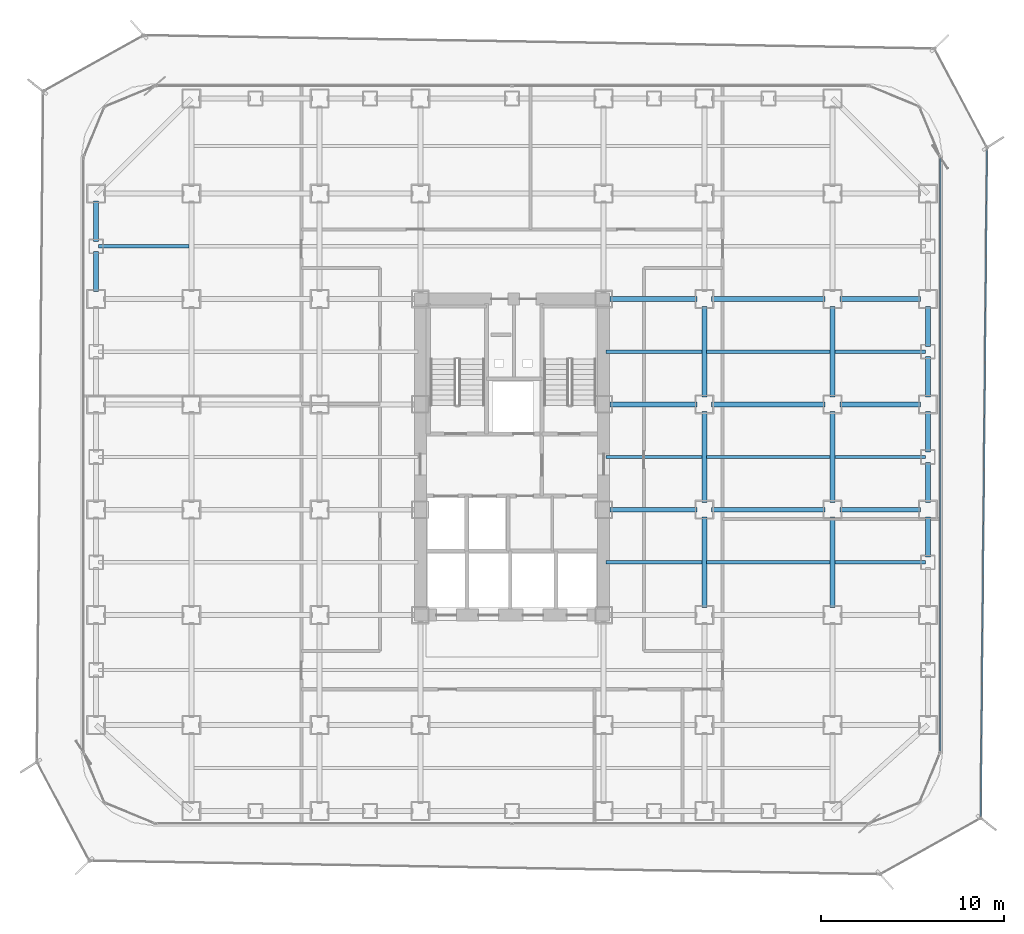
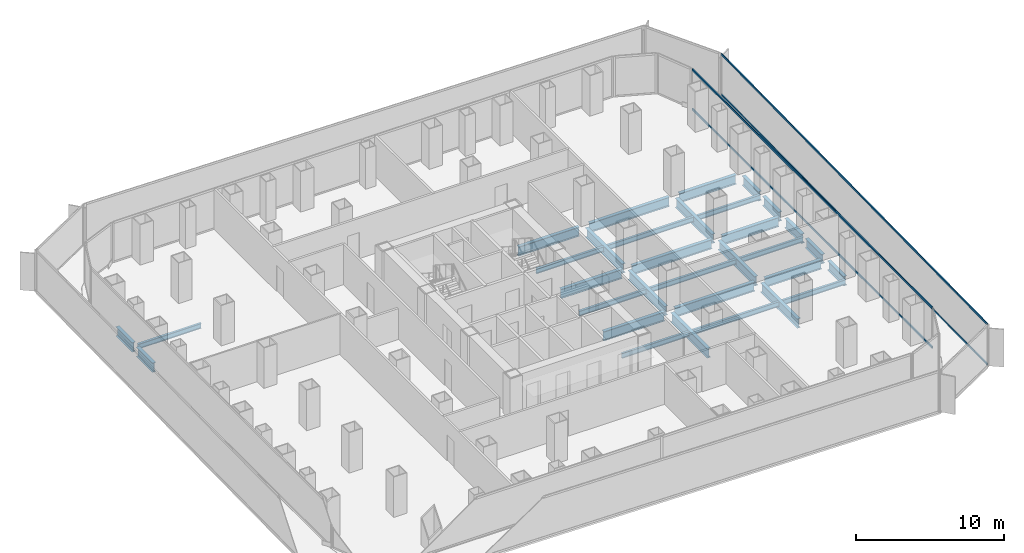
# One storey, part 9 of 21: 32 beams, 4 members, 2 elements without a shape of their own.
"""IFC4 building model written with IfcOpenShell, lengths in metres."""

from ifc_helpers import new_model, si_unit, direction, frame, origin, origin_2d, place, context, subcontext, project, spatial, hollow_rectangle, i_section, extrude, source, transform, mapped, material, layer, layer_set, material_profile, profile_set, type_object, element, aggregate, save


model = new_model("IFC4")

# Units and contexts
model_context = context("Model", 3, precision=1e-05, world=origin(), true_north=direction((0.0, 1.0)))
body_context = subcontext(model_context, "Body", "Model", "MODEL_VIEW")
ifc_project = project(units=[si_unit("LENGTHUNIT", "METRE"), si_unit("AREAUNIT", "SQUARE_METRE"), si_unit("VOLUMEUNIT", "CUBIC_METRE"), si_unit("PLANEANGLEUNIT", "RADIAN"), si_unit("MASSUNIT", "GRAM", prefix="KILO")], contexts=[model_context])

# Site, building, storey
site_placement = place(None, origin())
site = spatial("IfcSite", under=ifc_project, at=site_placement, CompositionType="ELEMENT")
building_placement = place(site_placement, origin())
building = spatial("IfcBuilding", under=site, at=building_placement, Name="Kolveth Station Tower", CompositionType="ELEMENT")
storey_placement = place(building_placement, frame((0.0, 0.0, 58.5)))
storey = spatial("IfcBuildingStorey", under=building, at=storey_placement, Name="L15", CompositionType="ELEMENT", Elevation=58.5)

# Beams
ifc_material_1 = material(Name="Steel S355", Category="steel")
ifc_material_profile_1 = material_profile(ifc_material_1, i_section(OverallWidth=0.26904296875, OverallDepth=0.77490234375, WebThickness=0.01708984375, FlangeThickness=0.0283203125, at=origin_2d()), Name="W760x220")
ifc_profile_set_1 = profile_set([ifc_material_profile_1], Name="Steel S355")
beam_type_1 = type_object("IfcBeamType", Name="Beam_SP1", PredefinedType="SPANDREL", material=ifc_profile_set_1)
shared_shape_1 = source(origin(), body_context, "Body", "SweptSolid", [
    extrude(i_section(OverallWidth=0.26904296875, OverallDepth=0.77490234375, WebThickness=0.01708984375, FlangeThickness=0.0283203125, at=origin_2d()), origin(), (0.0, 0.0, 1.0), 2.2001953125),
])
for number, where, z_axis, x_axis, name in (
    (1, (0.800048828125, 31.89990234375, -0.66748046875), (0.0, 1.0, 0.0), (-1.0, 0.0, 0.0), "L15 Perimeter Spandrel BM-L15-PW-10"),
    (2, (46.199951171875, 20.39990234375, -0.66748046875), (0.0, 1.0, 0.0), (-1.0, 0.0, 0.0), "L15 Perimeter Spandrel BM-L15-PE-6"),
    (3, (46.199951171875, 23.39990234375, -0.66748046875), (0.0, 1.0, 0.0), (-1.0, 0.0, 0.0), "L15 Perimeter Spandrel BM-L15-PE-7"),
):
    element("IfcBeam", number, at=place(storey_placement, frame(where, z_axis=z_axis, x_axis=x_axis)), inside=storey, type_object=beam_type_1, Name=name, PredefinedType="SPANDREL", context=body_context, shape_type="MappedRepresentation", body=[
        mapped(shared_shape_1, transform((0.0, 0.0, 0.0), x_axis=(1.0, 0.0, 0.0), y_axis=(0.0, 1.0, 0.0), z_axis=(0.0, 0.0, 1.0), scale=1.0)),
    ])
shared_shape_2 = source(origin(), body_context, "Body", "SweptSolid", [
    extrude(i_section(OverallWidth=0.26904296875, OverallDepth=0.77490234375, WebThickness=0.01708984375, FlangeThickness=0.0283203125, at=origin_2d()), origin(), (0.0, 0.0, 1.0), 2.190185546875),
])
for number, where, z_axis, x_axis, name in (
    (4, (0.800048828125, 29.14990234375, -0.66748046875), (0.0, 1.0, 0.0), (-1.0, 0.0, 0.0), "L15 Perimeter Spandrel BM-L15-PW-9"),
    (5, (46.199951171875, 14.659912109375, -0.66748046875), (0.0, 1.0, 0.0), (-1.0, 0.0, 0.0), "L15 Perimeter Spandrel BM-L15-PE-4"),
    (6, (46.199951171875, 17.64990234375, -0.66748046875), (0.0, 1.0, 0.0), (-1.0, 0.0, 0.0), "L15 Perimeter Spandrel BM-L15-PE-5"),
    (7, (46.199951171875, 26.159912109375, -0.66748046875), (0.0, 1.0, 0.0), (-1.0, 0.0, 0.0), "L15 Perimeter Spandrel BM-L15-PE-8"),
):
    element("IfcBeam", number, at=place(storey_placement, frame(where, z_axis=z_axis, x_axis=x_axis)), inside=storey, type_object=beam_type_1, Name=name, PredefinedType="SPANDREL", context=body_context, shape_type="MappedRepresentation", body=[
        mapped(shared_shape_2, transform((0.0, 0.0, 0.0), x_axis=(1.0, 0.0, 0.0), y_axis=(0.0, 1.0, 0.0), z_axis=(0.0, 0.0, 1.0), scale=1.0)),
    ])
ifc_material_profile_2 = material_profile(ifc_material_1, i_section(OverallWidth=0.26708984375, OverallDepth=0.76611328125, WebThickness=0.014892578125, FlangeThickness=0.023681640625, at=origin_2d()), Name="W760x185")
ifc_profile_set_2 = profile_set([ifc_material_profile_2], Name="Steel S355")
beam_type_2 = type_object("IfcBeamType", Name="Beam_B3", PredefinedType="BEAM", material=ifc_profile_set_2)
shared_shape_3 = source(origin(), body_context, "Body", "SweptSolid", [
    extrude(i_section(OverallWidth=0.26708984375, OverallDepth=0.76611328125, WebThickness=0.014892578125, FlangeThickness=0.023681640625, at=origin_2d()), origin(), (0.0, 0.0, 1.0), 4.400146484375),
])
for number, where, z_axis, x_axis, name in (
    (8, (41.39990234375, 17.25, -0.6630859375), (1.0, 0.0, 0.0), (0.0, 1.0, 0.0), "L15 Primary Girder BM-L15-GY172-7"),
    (9, (41.39990234375, 23.0, -0.6630859375), (1.0, 0.0, 0.0), (0.0, 1.0, 0.0), "L15 Primary Girder BM-L15-GY230-7"),
    (10, (41.39990234375, 28.75, -0.6630859375), (1.0, 0.0, 0.0), (0.0, 1.0, 0.0), "L15 Primary Girder BM-L15-GY287-7"),
):
    element("IfcBeam", number, at=place(storey_placement, frame(where, z_axis=z_axis, x_axis=x_axis)), inside=storey, type_object=beam_type_2, Name=name, PredefinedType="BEAM", context=body_context, shape_type="MappedRepresentation", body=[
        mapped(shared_shape_3, transform((0.0, 0.0, 0.0), x_axis=(1.0, 0.0, 0.0), y_axis=(0.0, 1.0, 0.0), z_axis=(0.0, 0.0, 1.0), scale=1.0)),
    ])
shared_shape_4 = source(origin(), body_context, "Body", "SweptSolid", [
    extrude(i_section(OverallWidth=0.26708984375, OverallDepth=0.76611328125, WebThickness=0.014892578125, FlangeThickness=0.023681640625, at=origin_2d()), origin(), (0.0, 0.0, 1.0), 6.2001953125),
])
for number, where, z_axis, x_axis, name in (
    (11, (34.39990234375, 17.25, -0.6630859375), (1.0, 0.0, 0.0), (0.0, 1.0, 0.0), "L15 Primary Girder BM-L15-GY172-6"),
    (12, (34.39990234375, 23.0, -0.6630859375), (1.0, 0.0, 0.0), (0.0, 1.0, 0.0), "L15 Primary Girder BM-L15-GY230-6"),
    (13, (34.39990234375, 28.75, -0.6630859375), (1.0, 0.0, 0.0), (0.0, 1.0, 0.0), "L15 Primary Girder BM-L15-GY287-6"),
):
    element("IfcBeam", number, at=place(storey_placement, frame(where, z_axis=z_axis, x_axis=x_axis)), inside=storey, type_object=beam_type_2, Name=name, PredefinedType="BEAM", context=body_context, shape_type="MappedRepresentation", body=[
        mapped(shared_shape_4, transform((0.0, 0.0, 0.0), x_axis=(1.0, 0.0, 0.0), y_axis=(0.0, 1.0, 0.0), z_axis=(0.0, 0.0, 1.0), scale=1.0)),
    ])
shared_shape_5 = source(origin(), body_context, "Body", "SweptSolid", [
    extrude(i_section(OverallWidth=0.26708984375, OverallDepth=0.76611328125, WebThickness=0.014892578125, FlangeThickness=0.023681640625, at=origin_2d()), origin(), (0.0, 0.0, 1.0), 4.739990234375),
])
for number, where, z_axis, x_axis, name in (
    (14, (28.860107421875, 17.25, -0.6630859375), (1.0, 0.0, 0.0), (0.0, 1.0, 0.0), "L15 Primary Girder BM-L15-GY172-5"),
    (15, (28.860107421875, 23.0, -0.6630859375), (1.0, 0.0, 0.0), (0.0, 1.0, 0.0), "L15 Primary Girder BM-L15-GY230-5"),
    (16, (28.860107421875, 28.75, -0.6630859375), (1.0, 0.0, 0.0), (0.0, 1.0, 0.0), "L15 Primary Girder BM-L15-GY287-5"),
):
    element("IfcBeam", number, at=place(storey_placement, frame(where, z_axis=z_axis, x_axis=x_axis)), inside=storey, type_object=beam_type_2, Name=name, PredefinedType="BEAM", context=body_context, shape_type="MappedRepresentation", body=[
        mapped(shared_shape_5, transform((0.0, 0.0, 0.0), x_axis=(1.0, 0.0, 0.0), y_axis=(0.0, 1.0, 0.0), z_axis=(0.0, 0.0, 1.0), scale=1.0)),
    ])
shared_shape_6 = source(origin(), body_context, "Body", "SweptSolid", [
    extrude(i_section(OverallWidth=0.26708984375, OverallDepth=0.76611328125, WebThickness=0.014892578125, FlangeThickness=0.023681640625, at=origin_2d()), origin(), (0.0, 0.0, 1.0), 4.9501953125),
])
for number, where, z_axis, x_axis, name in (
    (17, (34.0, 11.89990234375, -0.6630859375), (0.0, 1.0, 0.0), (-1.0, 0.0, 0.0), "L15 Primary Girder BM-L15-GX340-3"),
    (18, (34.0, 17.64990234375, -0.6630859375), (0.0, 1.0, 0.0), (-1.0, 0.0, 0.0), "L15 Primary Girder BM-L15-GX340-4"),
    (19, (34.0, 23.39990234375, -0.6630859375), (0.0, 1.0, 0.0), (-1.0, 0.0, 0.0), "L15 Primary Girder BM-L15-GX340-5"),
    (20, (41.0, 11.89990234375, -0.6630859375), (0.0, 1.0, 0.0), (-1.0, 0.0, 0.0), "L15 Primary Girder BM-L15-GX410-3"),
    (21, (41.0, 17.64990234375, -0.6630859375), (0.0, 1.0, 0.0), (-1.0, 0.0, 0.0), "L15 Primary Girder BM-L15-GX410-4"),
    (22, (41.0, 23.39990234375, -0.6630859375), (0.0, 1.0, 0.0), (-1.0, 0.0, 0.0), "L15 Primary Girder BM-L15-GX410-5"),
):
    element("IfcBeam", number, at=place(storey_placement, frame(where, z_axis=z_axis, x_axis=x_axis)), inside=storey, type_object=beam_type_2, Name=name, PredefinedType="BEAM", context=body_context, shape_type="MappedRepresentation", body=[
        mapped(shared_shape_6, transform((0.0, 0.0, 0.0), x_axis=(1.0, 0.0, 0.0), y_axis=(0.0, 1.0, 0.0), z_axis=(0.0, 0.0, 1.0), scale=1.0)),
    ])
ifc_material_profile_3 = material_profile(ifc_material_1, i_section(OverallWidth=0.177978515625, OverallDepth=0.406982421875, WebThickness=0.0078125, FlangeThickness=0.0126953125, at=origin_2d()), Name="W410x60")
ifc_profile_set_3 = profile_set([ifc_material_profile_3], Name="Steel S355")
beam_type_3 = type_object("IfcBeamType", Name="Beam_J1", PredefinedType="JOIST", material=ifc_profile_set_3)
shared_shape_7 = source(origin(), body_context, "Body", "SweptSolid", [
    extrude(i_section(OverallWidth=0.177978515625, OverallDepth=0.406982421875, WebThickness=0.0078125, FlangeThickness=0.0126953125, at=origin_2d()), origin(), (0.0, 0.0, 1.0), 4.935791015625),
])
for number, where, z_axis, x_axis, name in (
    (23, (0.9326171875, 31.625, -0.4833984375), (1.0, 0.0, 0.0), (0.0, 1.0, 0.0), "L15 Secondary Joist JST-L15-1-6"),
    (24, (41.131591796875, 14.375, -0.4833984375), (1.0, 0.0, 0.0), (0.0, 1.0, 0.0), "L15 Secondary Joist JST-L15-7-3"),
    (25, (41.131591796875, 20.125, -0.4833984375), (1.0, 0.0, 0.0), (0.0, 1.0, 0.0), "L15 Secondary Joist JST-L15-7-4"),
    (26, (41.131591796875, 25.875, -0.4833984375), (1.0, 0.0, 0.0), (0.0, 1.0, 0.0), "L15 Secondary Joist JST-L15-7-5"),
):
    element("IfcBeam", number, at=place(storey_placement, frame(where, z_axis=z_axis, x_axis=x_axis)), inside=storey, type_object=beam_type_3, Name=name, PredefinedType="JOIST", context=body_context, shape_type="MappedRepresentation", body=[
        mapped(shared_shape_7, transform((0.0, 0.0, 0.0), x_axis=(1.0, 0.0, 0.0), y_axis=(0.0, 1.0, 0.0), z_axis=(0.0, 0.0, 1.0), scale=1.0)),
    ])
shared_shape_8 = source(origin(), body_context, "Body", "SweptSolid", [
    extrude(i_section(OverallWidth=0.177978515625, OverallDepth=0.406982421875, WebThickness=0.0078125, FlangeThickness=0.0126953125, at=origin_2d()), origin(), (0.0, 0.0, 1.0), 6.73681640625),
])
for number, where, z_axis, x_axis, name in (
    (27, (34.131591796875, 14.375, -0.4833984375), (1.0, 0.0, 0.0), (0.0, 1.0, 0.0), "L15 Secondary Joist JST-L15-6-3"),
    (28, (34.131591796875, 20.125, -0.4833984375), (1.0, 0.0, 0.0), (0.0, 1.0, 0.0), "L15 Secondary Joist JST-L15-6-4"),
    (29, (34.131591796875, 25.875, -0.4833984375), (1.0, 0.0, 0.0), (0.0, 1.0, 0.0), "L15 Secondary Joist JST-L15-6-5"),
):
    element("IfcBeam", number, at=place(storey_placement, frame(where, z_axis=z_axis, x_axis=x_axis)), inside=storey, type_object=beam_type_3, Name=name, PredefinedType="JOIST", context=body_context, shape_type="MappedRepresentation", body=[
        mapped(shared_shape_8, transform((0.0, 0.0, 0.0), x_axis=(1.0, 0.0, 0.0), y_axis=(0.0, 1.0, 0.0), z_axis=(0.0, 0.0, 1.0), scale=1.0)),
    ])
shared_shape_9 = source(origin(), body_context, "Body", "SweptSolid", [
    extrude(i_section(OverallWidth=0.177978515625, OverallDepth=0.406982421875, WebThickness=0.0078125, FlangeThickness=0.0126953125, at=origin_2d()), origin(), (0.0, 0.0, 1.0), 5.23681640625),
])
for number, where, z_axis, x_axis, name in (
    (30, (28.631591796875, 14.375, -0.4833984375), (1.0, 0.0, 0.0), (0.0, 1.0, 0.0), "L15 Secondary Joist JST-L15-5-3"),
    (31, (28.631591796875, 20.125, -0.4833984375), (1.0, 0.0, 0.0), (0.0, 1.0, 0.0), "L15 Secondary Joist JST-L15-5-4"),
    (32, (28.631591796875, 25.875, -0.4833984375), (1.0, 0.0, 0.0), (0.0, 1.0, 0.0), "L15 Secondary Joist JST-L15-5-5"),
):
    element("IfcBeam", number, at=place(storey_placement, frame(where, z_axis=z_axis, x_axis=x_axis)), inside=storey, type_object=beam_type_3, Name=name, PredefinedType="JOIST", context=body_context, shape_type="MappedRepresentation", body=[
        mapped(shared_shape_9, transform((0.0, 0.0, 0.0), x_axis=(1.0, 0.0, 0.0), y_axis=(0.0, 1.0, 0.0), z_axis=(0.0, 0.0, 1.0), scale=1.0)),
    ])

# Curtain wall, members
ifc_material_2 = material(Name="Aluminium 6063-T6 and low-E dark glass", Category="aluminium")
ifc_layer_1 = layer(ifc_material_2, 0.179931640625)
ifc_layer_set_1 = layer_set([ifc_layer_1], Name="Aluminium 6063-T6 and low-E dark glass")
curtain_wall_type_1 = type_object("IfcCurtainWallType", Name="CurtainWall_CW-Z1", PredefinedType="NOTDEFINED", material=ifc_layer_set_1)
curtain_wall_1_placement = place(storey_placement, origin())
curtain_wall_1 = element("IfcCurtainWall", 33, at=curtain_wall_1_placement, inside=storey, type_object=curtain_wall_type_1, Name="L15 Inner Thermal Curtain Wall 3", PredefinedType="NOTDEFINED")
ifc_material_3 = material(Name="Black anodized aluminium 6063-T6", Category="aluminium")
ifc_material_profile_4 = material_profile(ifc_material_3, hollow_rectangle(XDim=0.074951171875, YDim=0.159912109375, WallThickness=0.0048828125, at=origin_2d()), Name="ALU-75x160x5")
ifc_profile_set_4 = profile_set([ifc_material_profile_4], Name="Black anodized aluminium 6063-T6")
member_type_1 = type_object("IfcMemberType", Name="Transom_TR1", PredefinedType="USERDEFINED", material=ifc_profile_set_4)
shared_shape_10 = source(origin(), body_context, "Body", "SweptSolid", [
    extrude(hollow_rectangle(XDim=0.074951171875, YDim=0.159912109375, WallThickness=0.0048828125, at=origin_2d()), origin(), (0.0, 0.0, 1.0), 32.35009765625),
])
member_1_placement = place(storey_placement, frame((46.8798828125, 4.074951171875, 0.03759765625), z_axis=(0.0, 1.0, 0.0), x_axis=(-1.0, 0.0, 0.0)))
member_1 = element("IfcMember", 34, at=member_1_placement, type_object=member_type_1, Name="CW-Z1 transom 1.1", ObjectType="TRANSOM", PredefinedType="USERDEFINED", context=body_context, shape_type="MappedRepresentation", body=[
    mapped(shared_shape_10, transform((0.0, 0.0, 0.0), x_axis=(1.0, 0.0, 0.0), y_axis=(0.0, 1.0, 0.0), z_axis=(0.0, 0.0, 1.0), scale=1.0)),
])
member_2_placement = place(storey_placement, frame((46.8798828125, 4.074951171875, 3.282470703125), z_axis=(0.0, 1.0, 0.0), x_axis=(-1.0, 0.0, 0.0)))
member_2 = element("IfcMember", 35, at=member_2_placement, type_object=member_type_1, Name="CW-Z1 transom 1.2", ObjectType="TRANSOM", PredefinedType="USERDEFINED", context=body_context, shape_type="MappedRepresentation", body=[
    mapped(shared_shape_10, transform((0.0, 0.0, 0.0), x_axis=(1.0, 0.0, 0.0), y_axis=(0.0, 1.0, 0.0), z_axis=(0.0, 0.0, 1.0), scale=1.0)),
])
aggregate(curtain_wall_1, [member_1, member_2])

ifc_material_4 = material(Name="Black anodized aluminium 6063-T6 and dark solar glass", Category="aluminium")
ifc_layer_2 = layer(ifc_material_4, 0.159912109375)
ifc_layer_set_2 = layer_set([ifc_layer_2], Name="Black anodized aluminium 6063-T6 and dark solar glass")
curtain_wall_type_2 = type_object("IfcCurtainWallType", Name="OUTER SKIN CW-OS", PredefinedType="NOTDEFINED", material=ifc_layer_set_2)
curtain_wall_2_placement = place(storey_placement, origin())
curtain_wall_2 = element("IfcCurtainWall", 36, at=curtain_wall_2_placement, inside=storey, type_object=curtain_wall_type_2, Name="L15 Outer Ventilated Skin Curtain Wall 2", PredefinedType="NOTDEFINED")
ifc_material_profile_5 = material_profile(ifc_material_3, hollow_rectangle(XDim=0.080078125, YDim=0.14990234375, WallThickness=0.0048828125, at=origin_2d()), Name="ALU-80x150x5")
ifc_profile_set_5 = profile_set([ifc_material_profile_5], Name="Black anodized aluminium 6063-T6")
member_type_2 = type_object("IfcMemberType", Name="Transom_TR-OS", PredefinedType="USERDEFINED", material=ifc_profile_set_5)
shared_shape_11 = source(origin(), body_context, "Body", "SweptSolid", [
    extrude(hollow_rectangle(XDim=0.080078125, YDim=0.14990234375, WallThickness=0.0048828125, at=origin_2d()), origin(), (0.0, 0.0, 1.0), 36.421875),
])
member_3_placement = place(storey_placement, frame((49.089599609375, 0.50439453125, 0.0400390625), z_axis=(0.009357601229, 0.999956216691, 0.0), x_axis=(-0.999956216691, 0.009357601229, 0.0)))
member_3 = element("IfcMember", 37, at=member_3_placement, type_object=member_type_2, Name="CW-OS transom 1.1", ObjectType="TRANSOM", PredefinedType="USERDEFINED", context=body_context, shape_type="MappedRepresentation", body=[
    mapped(shared_shape_11, transform((0.0, 0.0, 0.0), x_axis=(1.0, 0.0, 0.0), y_axis=(0.0, 1.0, 0.0), z_axis=(0.0, 0.0, 1.0), scale=1.0)),
])
member_4_placement = place(storey_placement, frame((49.089599609375, 0.50439453125, 3.35009765625), z_axis=(0.009357601229, 0.999956216691, 0.0), x_axis=(-0.999956216691, 0.009357601229, 0.0)))
member_4 = element("IfcMember", 38, at=member_4_placement, type_object=member_type_2, Name="CW-OS transom 1.2", ObjectType="TRANSOM", PredefinedType="USERDEFINED", context=body_context, shape_type="MappedRepresentation", body=[
    mapped(shared_shape_11, transform((0.0, 0.0, 0.0), x_axis=(1.0, 0.0, 0.0), y_axis=(0.0, 1.0, 0.0), z_axis=(0.0, 0.0, 1.0), scale=1.0)),
])
aggregate(curtain_wall_2, [member_3, member_4])

save(model, "model.ifc")
